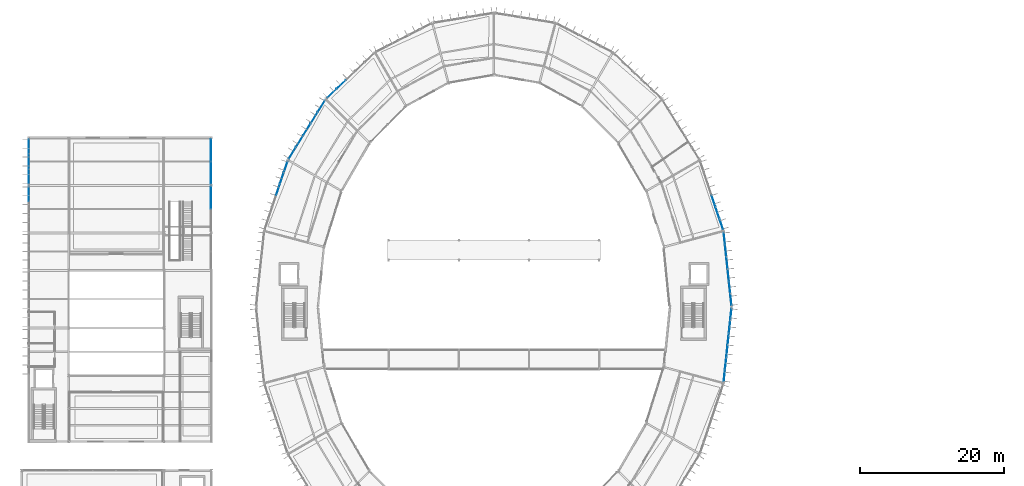
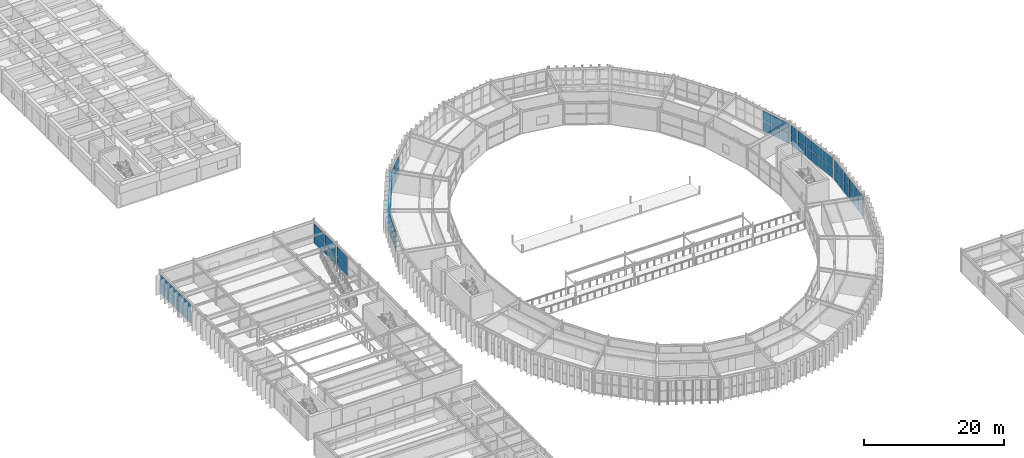
# One storey, part 103 of 147: 64 plates, 10 elements without a shape of their own.
"""IFC4 building model written with IfcOpenShell, lengths in metres."""

from ifc_helpers import new_model, si_unit, direction, frame, origin, origin_2d, place, context, subcontext, project, spatial, rectangle, extrude, material, layer, layer_set, type_object, element, aggregate, save


model = new_model("IFC4")

# Units and contexts
model_context = context("Model", 3, precision=1e-05, world=origin(), true_north=direction((0.0, 1.0)))
body_context = subcontext(model_context, "Body", "Model", "MODEL_VIEW")
ifc_project = project(units=[si_unit("LENGTHUNIT", "METRE"), si_unit("AREAUNIT", "SQUARE_METRE"), si_unit("VOLUMEUNIT", "CUBIC_METRE"), si_unit("PLANEANGLEUNIT", "RADIAN"), si_unit("MASSUNIT", "GRAM", prefix="KILO")], contexts=[model_context])

# Site, building, storey
site_placement = place(None, origin())
site = spatial("IfcSite", under=ifc_project, at=site_placement, CompositionType="ELEMENT")
building_placement = place(site_placement, origin())
building = spatial("IfcBuilding", under=site, at=building_placement, Name="Karori Crest Natural Sciences Institute", CompositionType="ELEMENT")
storey_placement = place(building_placement, frame((0.0, 0.0, 9.10009765625)))
storey = spatial("IfcBuildingStorey", under=building, at=storey_placement, Name="L02", CompositionType="ELEMENT", Elevation=9.10009765625)

# Curtain wall, plates
ifc_material_1 = material(Name="Anodised architectural aluminium 6063-T6", Category="aluminium")
curtain_wall_type_1 = type_object("IfcCurtainWallType", Name="CWT-01", PredefinedType="NOTDEFINED", material=ifc_material_1)
curtain_wall_1_placement = place(storey_placement, origin())
curtain_wall_1 = element("IfcCurtainWall", 1, at=curtain_wall_1_placement, inside=storey, type_object=curtain_wall_type_1, Name="Curtain wall CW-0065", PredefinedType="NOTDEFINED")
ifc_material_2 = material(Name="Double low-E laminated glass", Category="glass")
ifc_layer_1 = layer(ifc_material_2, 0.02392578125, Name="Double low-E laminated glass")
ifc_layer_set_1 = layer_set([ifc_layer_1], Name="Double low-E laminated glass")
plate_type_1 = type_object("IfcPlateType", Name="CWP-01", PredefinedType="CURTAIN_PANEL", material=ifc_layer_set_1)
plate_1_placement = place(storey_placement, frame((98.386962890625, 59.414306640625, 0.06494140625), z_axis=(0.0, 0.0, 1.0), x_axis=(0.105881615789, -0.994378742451, 0.0)))
plate_1 = element("IfcPlate", 2, at=plate_1_placement, type_object=plate_type_1, Name="CW-0065 panel 1.1", PredefinedType="CURTAIN_PANEL", context=body_context, shape_type="SweptSolid", body=[
    extrude(rectangle(XDim=1.60107421875, YDim=0.02392578125, at=origin_2d()), origin(), (0.0, 0.0, 1.0), 1.715087890625),
])
plate_2_placement = place(storey_placement, frame((98.386962890625, 59.414306640625, 1.8447265625), z_axis=(0.0, 0.0, 1.0), x_axis=(0.105881615789, -0.994378742451, 0.0)))
plate_2 = element("IfcPlate", 3, at=plate_2_placement, type_object=plate_type_1, Name="CW-0065 panel 1.2", PredefinedType="CURTAIN_PANEL", context=body_context, shape_type="SweptSolid", body=[
    extrude(rectangle(XDim=1.60107421875, YDim=0.02392578125, at=origin_2d()), origin(), (0.0, 0.0, 1.0), 1.715087890625),
])
plate_3_placement = place(storey_placement, frame((98.56640625, 57.72900390625, 0.06494140625), z_axis=(0.0, 0.0, 1.0), x_axis=(0.105881615789, -0.994378742451, 0.0)))
plate_3 = element("IfcPlate", 4, at=plate_3_placement, type_object=plate_type_1, Name="CW-0065 panel 2.1", PredefinedType="CURTAIN_PANEL", context=body_context, shape_type="SweptSolid", body=[
    extrude(rectangle(XDim=1.638427734375, YDim=0.02392578125, at=origin_2d()), origin(), (0.0, 0.0, 1.0), 1.715087890625),
])
plate_4_placement = place(storey_placement, frame((98.56640625, 57.72900390625, 1.8447265625), z_axis=(0.0, 0.0, 1.0), x_axis=(0.105881615789, -0.994378742451, 0.0)))
plate_4 = element("IfcPlate", 5, at=plate_4_placement, type_object=plate_type_1, Name="CW-0065 panel 2.2", PredefinedType="CURTAIN_PANEL", context=body_context, shape_type="SweptSolid", body=[
    extrude(rectangle(XDim=1.638427734375, YDim=0.02392578125, at=origin_2d()), origin(), (0.0, 0.0, 1.0), 1.715087890625),
])
plate_5_placement = place(storey_placement, frame((98.747802734375, 56.025146484375, 0.06494140625), z_axis=(0.0, 0.0, 1.0), x_axis=(0.105881615789, -0.994378742451, 0.0)))
plate_5 = element("IfcPlate", 6, at=plate_5_placement, type_object=plate_type_1, Name="CW-0065 panel 3.1", PredefinedType="CURTAIN_PANEL", context=body_context, shape_type="SweptSolid", body=[
    extrude(rectangle(XDim=1.638427734375, YDim=0.02392578125, at=origin_2d()), origin(), (0.0, 0.0, 1.0), 1.715087890625),
])
plate_6_placement = place(storey_placement, frame((98.747802734375, 56.025146484375, 1.8447265625), z_axis=(0.0, 0.0, 1.0), x_axis=(0.105881615789, -0.994378742451, 0.0)))
plate_6 = element("IfcPlate", 7, at=plate_6_placement, type_object=plate_type_1, Name="CW-0065 panel 3.2", PredefinedType="CURTAIN_PANEL", context=body_context, shape_type="SweptSolid", body=[
    extrude(rectangle(XDim=1.638427734375, YDim=0.02392578125, at=origin_2d()), origin(), (0.0, 0.0, 1.0), 1.715087890625),
])
plate_7_placement = place(storey_placement, frame((98.92919921875, 54.3212890625, 0.06494140625), z_axis=(0.0, 0.0, 1.0), x_axis=(0.105881615789, -0.994378742451, 0.0)))
plate_7 = element("IfcPlate", 8, at=plate_7_placement, type_object=plate_type_1, Name="CW-0065 panel 4.1", PredefinedType="CURTAIN_PANEL", context=body_context, shape_type="SweptSolid", body=[
    extrude(rectangle(XDim=1.638427734375, YDim=0.02392578125, at=origin_2d()), origin(), (0.0, 0.0, 1.0), 1.715087890625),
])
plate_8_placement = place(storey_placement, frame((98.92919921875, 54.3212890625, 1.8447265625), z_axis=(0.0, 0.0, 1.0), x_axis=(0.105881615789, -0.994378742451, 0.0)))
plate_8 = element("IfcPlate", 9, at=plate_8_placement, type_object=plate_type_1, Name="CW-0065 panel 4.2", PredefinedType="CURTAIN_PANEL", context=body_context, shape_type="SweptSolid", body=[
    extrude(rectangle(XDim=1.638427734375, YDim=0.02392578125, at=origin_2d()), origin(), (0.0, 0.0, 1.0), 1.715087890625),
])
plate_9_placement = place(storey_placement, frame((99.110595703125, 52.617431640625, 0.06494140625), z_axis=(0.0, 0.0, 1.0), x_axis=(0.105881615789, -0.994378742451, 0.0)))
plate_9 = element("IfcPlate", 10, at=plate_9_placement, type_object=plate_type_1, Name="CW-0065 panel 5.1", PredefinedType="CURTAIN_PANEL", context=body_context, shape_type="SweptSolid", body=[
    extrude(rectangle(XDim=1.638427734375, YDim=0.02392578125, at=origin_2d()), origin(), (0.0, 0.0, 1.0), 1.715087890625),
])
plate_10_placement = place(storey_placement, frame((99.110595703125, 52.617431640625, 1.8447265625), z_axis=(0.0, 0.0, 1.0), x_axis=(0.105881615789, -0.994378742451, 0.0)))
plate_10 = element("IfcPlate", 11, at=plate_10_placement, type_object=plate_type_1, Name="CW-0065 panel 5.2", PredefinedType="CURTAIN_PANEL", context=body_context, shape_type="SweptSolid", body=[
    extrude(rectangle(XDim=1.638427734375, YDim=0.02392578125, at=origin_2d()), origin(), (0.0, 0.0, 1.0), 1.715087890625),
])
plate_11_placement = place(storey_placement, frame((99.2900390625, 50.93212890625, 0.06494140625), z_axis=(0.0, 0.0, 1.0), x_axis=(0.105881615789, -0.994378742451, 0.0)))
plate_11 = element("IfcPlate", 12, at=plate_11_placement, type_object=plate_type_1, Name="CW-0065 panel 6.1", PredefinedType="CURTAIN_PANEL", context=body_context, shape_type="SweptSolid", body=[
    extrude(rectangle(XDim=1.60107421875, YDim=0.02392578125, at=origin_2d()), origin(), (0.0, 0.0, 1.0), 1.715087890625),
])
plate_12_placement = place(storey_placement, frame((99.2900390625, 50.93212890625, 1.8447265625), z_axis=(0.0, 0.0, 1.0), x_axis=(0.105881615789, -0.994378742451, 0.0)))
plate_12 = element("IfcPlate", 13, at=plate_12_placement, type_object=plate_type_1, Name="CW-0065 panel 6.2", PredefinedType="CURTAIN_PANEL", context=body_context, shape_type="SweptSolid", body=[
    extrude(rectangle(XDim=1.60107421875, YDim=0.02392578125, at=origin_2d()), origin(), (0.0, 0.0, 1.0), 1.715087890625),
])
aggregate(curtain_wall_1, [plate_1, plate_2, plate_3, plate_4, plate_5, plate_6, plate_7, plate_8, plate_9, plate_10, plate_11, plate_12])

curtain_wall_type_2 = type_object("IfcCurtainWallType", Name="CWT-10", PredefinedType="NOTDEFINED", material=ifc_material_1)
curtain_wall_2_placement = place(storey_placement, origin())
curtain_wall_2 = element("IfcCurtainWall", 14, at=curtain_wall_2_placement, inside=storey, type_object=curtain_wall_type_2, Name="Curtain wall CW-0079", PredefinedType="NOTDEFINED")
plate_13_placement = place(storey_placement, frame((38.428955078125, 71.279296875, 0.06005859375), z_axis=(0.0, 0.0, 1.0), x_axis=(0.527327518853, 0.849662102168, 0.0)))
plate_13 = element("IfcPlate", 15, at=plate_13_placement, type_object=plate_type_1, Name="CW-0079 panel 1.1", PredefinedType="CURTAIN_PANEL", context=body_context, shape_type="SweptSolid", body=[
    extrude(rectangle(XDim=1.80322265625, YDim=0.02392578125, at=origin_2d()), origin(), (0.0, 0.0, 1.0), 1.722412109375),
])
plate_14_placement = place(storey_placement, frame((38.428955078125, 71.279296875, 1.84228515625), z_axis=(0.0, 0.0, 1.0), x_axis=(0.527327518853, 0.849662102168, 0.0)))
plate_14 = element("IfcPlate", 16, at=plate_14_placement, type_object=plate_type_1, Name="CW-0079 panel 1.2", PredefinedType="CURTAIN_PANEL", context=body_context, shape_type="SweptSolid", body=[
    extrude(rectangle(XDim=1.80322265625, YDim=0.02392578125, at=origin_2d()), origin(), (0.0, 0.0, 1.0), 1.722412109375),
])
plate_15_placement = place(storey_placement, frame((39.42919921875, 72.89111328125, 0.06005859375), z_axis=(0.0, 0.0, 1.0), x_axis=(0.527327518853, 0.849662102168, 0.0)))
plate_15 = element("IfcPlate", 17, at=plate_15_placement, type_object=plate_type_1, Name="CW-0079 panel 2.1", PredefinedType="CURTAIN_PANEL", context=body_context, shape_type="SweptSolid", body=[
    extrude(rectangle(XDim=1.8408203125, YDim=0.02392578125, at=origin_2d()), origin(), (0.0, 0.0, 1.0), 1.722412109375),
])
plate_16_placement = place(storey_placement, frame((39.42919921875, 72.89111328125, 1.84228515625), z_axis=(0.0, 0.0, 1.0), x_axis=(0.527327518853, 0.849662102168, 0.0)))
plate_16 = element("IfcPlate", 18, at=plate_16_placement, type_object=plate_type_1, Name="CW-0079 panel 2.2", PredefinedType="CURTAIN_PANEL", context=body_context, shape_type="SweptSolid", body=[
    extrude(rectangle(XDim=1.8408203125, YDim=0.02392578125, at=origin_2d()), origin(), (0.0, 0.0, 1.0), 1.722412109375),
])
plate_17_placement = place(storey_placement, frame((40.439453125, 74.518798828125, 0.06005859375), z_axis=(0.0, 0.0, 1.0), x_axis=(0.527327518853, 0.849662102168, 0.0)))
plate_17 = element("IfcPlate", 19, at=plate_17_placement, type_object=plate_type_1, Name="CW-0079 panel 3.1", PredefinedType="CURTAIN_PANEL", context=body_context, shape_type="SweptSolid", body=[
    extrude(rectangle(XDim=1.8408203125, YDim=0.02392578125, at=origin_2d()), origin(), (0.0, 0.0, 1.0), 1.722412109375),
])
plate_18_placement = place(storey_placement, frame((40.439453125, 74.518798828125, 1.84228515625), z_axis=(0.0, 0.0, 1.0), x_axis=(0.527327518853, 0.849662102168, 0.0)))
plate_18 = element("IfcPlate", 20, at=plate_18_placement, type_object=plate_type_1, Name="CW-0079 panel 3.2", PredefinedType="CURTAIN_PANEL", context=body_context, shape_type="SweptSolid", body=[
    extrude(rectangle(XDim=1.8408203125, YDim=0.02392578125, at=origin_2d()), origin(), (0.0, 0.0, 1.0), 1.722412109375),
])
plate_19_placement = place(storey_placement, frame((41.44970703125, 76.146484375, 0.06005859375), z_axis=(0.0, 0.0, 1.0), x_axis=(0.527327518853, 0.849662102168, 0.0)))
plate_19 = element("IfcPlate", 21, at=plate_19_placement, type_object=plate_type_1, Name="CW-0079 panel 4.1", PredefinedType="CURTAIN_PANEL", context=body_context, shape_type="SweptSolid", body=[
    extrude(rectangle(XDim=1.8408203125, YDim=0.02392578125, at=origin_2d()), origin(), (0.0, 0.0, 1.0), 1.722412109375),
])
plate_20_placement = place(storey_placement, frame((41.44970703125, 76.146484375, 1.84228515625), z_axis=(0.0, 0.0, 1.0), x_axis=(0.527327518853, 0.849662102168, 0.0)))
plate_20 = element("IfcPlate", 22, at=plate_20_placement, type_object=plate_type_1, Name="CW-0079 panel 4.2", PredefinedType="CURTAIN_PANEL", context=body_context, shape_type="SweptSolid", body=[
    extrude(rectangle(XDim=1.8408203125, YDim=0.02392578125, at=origin_2d()), origin(), (0.0, 0.0, 1.0), 1.722412109375),
])
plate_21_placement = place(storey_placement, frame((42.4501953125, 77.75830078125, 0.06005859375), z_axis=(0.0, 0.0, 1.0), x_axis=(0.527327518853, 0.849662102168, 0.0)))
plate_21 = element("IfcPlate", 23, at=plate_21_placement, type_object=plate_type_1, Name="CW-0079 panel 5.1", PredefinedType="CURTAIN_PANEL", context=body_context, shape_type="SweptSolid", body=[
    extrude(rectangle(XDim=1.80322265625, YDim=0.02392578125, at=origin_2d()), origin(), (0.0, 0.0, 1.0), 1.722412109375),
])
plate_22_placement = place(storey_placement, frame((42.4501953125, 77.75830078125, 1.84228515625), z_axis=(0.0, 0.0, 1.0), x_axis=(0.527327518853, 0.849662102168, 0.0)))
plate_22 = element("IfcPlate", 24, at=plate_22_placement, type_object=plate_type_1, Name="CW-0079 panel 5.2", PredefinedType="CURTAIN_PANEL", context=body_context, shape_type="SweptSolid", body=[
    extrude(rectangle(XDim=1.80322265625, YDim=0.02392578125, at=origin_2d()), origin(), (0.0, 0.0, 1.0), 1.722412109375),
])
aggregate(curtain_wall_2, [plate_13, plate_14, plate_15, plate_16, plate_17, plate_18, plate_19, plate_20, plate_21, plate_22])

curtain_wall_type_3 = type_object("IfcCurtainWallType", Name="CWT-17", PredefinedType="NOTDEFINED", material=ifc_material_1)
curtain_wall_3_placement = place(storey_placement, origin())
curtain_wall_3 = element("IfcCurtainWall", 25, at=curtain_wall_3_placement, inside=storey, type_object=curtain_wall_type_3, Name="Curtain wall CW-0273", PredefinedType="NOTDEFINED")
plate_23_placement = place(storey_placement, frame((1.860107421875, 65.601806640625, 0.06005859375), z_axis=(0.0, 0.0, 1.0), x_axis=(0.0, 1.0, 0.0)))
plate_23 = element("IfcPlate", 26, at=plate_23_placement, type_object=plate_type_1, Name="CW-0273 panel 3.1", PredefinedType="CURTAIN_PANEL", context=body_context, shape_type="SweptSolid", body=[
    extrude(rectangle(XDim=2.0205078125, YDim=0.02392578125, at=origin_2d()), origin(), (0.0, 0.0, 1.0), 1.632568359375),
])
plate_24_placement = place(storey_placement, frame((1.860107421875, 65.601806640625, 1.75244140625), z_axis=(0.0, 0.0, 1.0), x_axis=(0.0, 1.0, 0.0)))
plate_24 = element("IfcPlate", 27, at=plate_24_placement, type_object=plate_type_1, Name="CW-0273 panel 3.2", PredefinedType="CURTAIN_PANEL", context=body_context, shape_type="SweptSolid", body=[
    extrude(rectangle(XDim=2.0205078125, YDim=0.02392578125, at=origin_2d()), origin(), (0.0, 0.0, 1.0), 1.632568359375),
])
aggregate(curtain_wall_3, [plate_23, plate_24])

curtain_wall_4_placement = place(storey_placement, origin())
curtain_wall_4 = element("IfcCurtainWall", 28, at=curtain_wall_4_placement, inside=storey, type_object=curtain_wall_type_3, Name="Curtain wall CW-0274", PredefinedType="NOTDEFINED")
plate_25_placement = place(storey_placement, frame((1.860107421875, 67.998291015625, 0.06005859375), z_axis=(0.0, 0.0, 1.0), x_axis=(0.0, 1.0, 0.0)))
plate_25 = element("IfcPlate", 29, at=plate_25_placement, type_object=plate_type_1, Name="CW-0274 panel 1.1", PredefinedType="CURTAIN_PANEL", context=body_context, shape_type="SweptSolid", body=[
    extrude(rectangle(XDim=2.0205078125, YDim=0.02392578125, at=origin_2d()), origin(), (0.0, 0.0, 1.0), 1.632568359375),
])
plate_26_placement = place(storey_placement, frame((1.860107421875, 67.998291015625, 1.75244140625), z_axis=(0.0, 0.0, 1.0), x_axis=(0.0, 1.0, 0.0)))
plate_26 = element("IfcPlate", 30, at=plate_26_placement, type_object=plate_type_1, Name="CW-0274 panel 1.2", PredefinedType="CURTAIN_PANEL", context=body_context, shape_type="SweptSolid", body=[
    extrude(rectangle(XDim=2.0205078125, YDim=0.02392578125, at=origin_2d()), origin(), (0.0, 0.0, 1.0), 1.632568359375),
])
plate_27_placement = place(storey_placement, frame((1.860107421875, 70.10009765625, 0.06005859375), z_axis=(0.0, 0.0, 1.0), x_axis=(0.0, 1.0, 0.0)))
plate_27 = element("IfcPlate", 31, at=plate_27_placement, type_object=plate_type_1, Name="CW-0274 panel 2.1", PredefinedType="CURTAIN_PANEL", context=body_context, shape_type="SweptSolid", body=[
    extrude(rectangle(XDim=2.052978515625, YDim=0.02392578125, at=origin_2d()), origin(), (0.0, 0.0, 1.0), 1.632568359375),
])
plate_28_placement = place(storey_placement, frame((1.860107421875, 70.10009765625, 1.75244140625), z_axis=(0.0, 0.0, 1.0), x_axis=(0.0, 1.0, 0.0)))
plate_28 = element("IfcPlate", 32, at=plate_28_placement, type_object=plate_type_1, Name="CW-0274 panel 2.2", PredefinedType="CURTAIN_PANEL", context=body_context, shape_type="SweptSolid", body=[
    extrude(rectangle(XDim=2.052978515625, YDim=0.02392578125, at=origin_2d()), origin(), (0.0, 0.0, 1.0), 1.632568359375),
])
plate_29_placement = place(storey_placement, frame((1.860107421875, 72.20166015625, 0.06005859375), z_axis=(0.0, 0.0, 1.0), x_axis=(0.0, 1.0, 0.0)))
plate_29 = element("IfcPlate", 33, at=plate_29_placement, type_object=plate_type_1, Name="CW-0274 panel 3.1", PredefinedType="CURTAIN_PANEL", context=body_context, shape_type="SweptSolid", body=[
    extrude(rectangle(XDim=2.0205078125, YDim=0.02392578125, at=origin_2d()), origin(), (0.0, 0.0, 1.0), 1.632568359375),
])
plate_30_placement = place(storey_placement, frame((1.860107421875, 72.20166015625, 1.75244140625), z_axis=(0.0, 0.0, 1.0), x_axis=(0.0, 1.0, 0.0)))
plate_30 = element("IfcPlate", 34, at=plate_30_placement, type_object=plate_type_1, Name="CW-0274 panel 3.2", PredefinedType="CURTAIN_PANEL", context=body_context, shape_type="SweptSolid", body=[
    extrude(rectangle(XDim=2.0205078125, YDim=0.02392578125, at=origin_2d()), origin(), (0.0, 0.0, 1.0), 1.632568359375),
])
aggregate(curtain_wall_4, [plate_25, plate_26, plate_27, plate_28, plate_29, plate_30])

curtain_wall_type_4 = type_object("IfcCurtainWallType", Name="CWT-18", PredefinedType="NOTDEFINED", material=ifc_material_1)
curtain_wall_5_placement = place(storey_placement, origin())
curtain_wall_5 = element("IfcCurtainWall", 35, at=curtain_wall_5_placement, inside=storey, type_object=curtain_wall_type_4, Name="Curtain wall CW-0276", PredefinedType="NOTDEFINED")
plate_31_placement = place(storey_placement, frame((27.139892578125, 65.072265625, 0.06005859375), z_axis=(0.0, 0.0, 1.0), x_axis=(0.0, -1.0, 0.0)))
plate_31 = element("IfcPlate", 36, at=plate_31_placement, type_object=plate_type_1, Name="CW-0276 panel 1.1", PredefinedType="CURTAIN_PANEL", context=body_context, shape_type="SweptSolid", body=[
    extrude(rectangle(XDim=3.07958984375, YDim=0.02392578125, at=origin_2d()), origin(), (0.0, 0.0, 1.0), 1.632568359375),
])
plate_32_placement = place(storey_placement, frame((27.139892578125, 65.072265625, 1.75244140625), z_axis=(0.0, 0.0, 1.0), x_axis=(0.0, -1.0, 0.0)))
plate_32 = element("IfcPlate", 37, at=plate_32_placement, type_object=plate_type_1, Name="CW-0276 panel 1.2", PredefinedType="CURTAIN_PANEL", context=body_context, shape_type="SweptSolid", body=[
    extrude(rectangle(XDim=3.07958984375, YDim=0.02392578125, at=origin_2d()), origin(), (0.0, 0.0, 1.0), 1.632568359375),
])
aggregate(curtain_wall_5, [plate_31, plate_32])

curtain_wall_6_placement = place(storey_placement, origin())
curtain_wall_6 = element("IfcCurtainWall", 38, at=curtain_wall_6_placement, inside=storey, type_object=curtain_wall_type_4, Name="Curtain wall CW-0277", PredefinedType="NOTDEFINED")
plate_33_placement = place(storey_placement, frame((27.139892578125, 71.67236328125, 0.06005859375), z_axis=(0.0, 0.0, 1.0), x_axis=(0.0, -1.0, 0.0)))
plate_33 = element("IfcPlate", 39, at=plate_33_placement, type_object=plate_type_1, Name="CW-0277 panel 1.1", PredefinedType="CURTAIN_PANEL", context=body_context, shape_type="SweptSolid", body=[
    extrude(rectangle(XDim=3.07958984375, YDim=0.02392578125, at=origin_2d()), origin(), (0.0, 0.0, 1.0), 1.632568359375),
])
plate_34_placement = place(storey_placement, frame((27.139892578125, 71.67236328125, 1.75244140625), z_axis=(0.0, 0.0, 1.0), x_axis=(0.0, -1.0, 0.0)))
plate_34 = element("IfcPlate", 40, at=plate_34_placement, type_object=plate_type_1, Name="CW-0277 panel 1.2", PredefinedType="CURTAIN_PANEL", context=body_context, shape_type="SweptSolid", body=[
    extrude(rectangle(XDim=3.07958984375, YDim=0.02392578125, at=origin_2d()), origin(), (0.0, 0.0, 1.0), 1.632568359375),
])
plate_35_placement = place(storey_placement, frame((27.139892578125, 68.52783203125, 0.06005859375), z_axis=(0.0, 0.0, 1.0), x_axis=(0.0, -1.0, 0.0)))
plate_35 = element("IfcPlate", 41, at=plate_35_placement, type_object=plate_type_1, Name="CW-0277 panel 2.1", PredefinedType="CURTAIN_PANEL", context=body_context, shape_type="SweptSolid", body=[
    extrude(rectangle(XDim=3.07958984375, YDim=0.02392578125, at=origin_2d()), origin(), (0.0, 0.0, 1.0), 1.632568359375),
])
plate_36_placement = place(storey_placement, frame((27.139892578125, 68.52783203125, 1.75244140625), z_axis=(0.0, 0.0, 1.0), x_axis=(0.0, -1.0, 0.0)))
plate_36 = element("IfcPlate", 42, at=plate_36_placement, type_object=plate_type_1, Name="CW-0277 panel 2.2", PredefinedType="CURTAIN_PANEL", context=body_context, shape_type="SweptSolid", body=[
    extrude(rectangle(XDim=3.07958984375, YDim=0.02392578125, at=origin_2d()), origin(), (0.0, 0.0, 1.0), 1.632568359375),
])
aggregate(curtain_wall_6, [plate_33, plate_34, plate_35, plate_36])

curtain_wall_type_5 = type_object("IfcCurtainWallType", Name="CWT-02", PredefinedType="NOTDEFINED", material=ifc_material_1)
curtain_wall_7_placement = place(storey_placement, origin())
curtain_wall_7 = element("IfcCurtainWall", 43, at=curtain_wall_7_placement, inside=storey, type_object=curtain_wall_type_5, Name="Curtain wall CW-0067", PredefinedType="NOTDEFINED")
ifc_layer_2 = layer(ifc_material_2, 0.033935546875, Name="Double low-E laminated glass")
ifc_layer_set_2 = layer_set([ifc_layer_2], Name="Double low-E laminated glass")
plate_type_2 = type_object("IfcPlateType", Name="CWP-02", PredefinedType="CURTAIN_PANEL", material=ifc_layer_set_2)
plate_37_placement = place(storey_placement, frame((96.890625, 64.593994140625, 0.06005859375), z_axis=(0.0, 0.0, 1.0), x_axis=(0.317685267462, -0.948196219586, 0.0)))
plate_37 = element("IfcPlate", 44, at=plate_37_placement, type_object=plate_type_2, Name="CW-0067 panel 4.1", PredefinedType="CURTAIN_PANEL", context=body_context, shape_type="SweptSolid", body=[
    extrude(rectangle(XDim=1.5986328125, YDim=0.033935546875, at=origin_2d()), origin(), (0.0, 0.0, 1.0), 1.722412109375),
])
plate_38_placement = place(storey_placement, frame((96.890625, 64.593994140625, 1.84228515625), z_axis=(0.0, 0.0, 1.0), x_axis=(0.317685267462, -0.948196219586, 0.0)))
plate_38 = element("IfcPlate", 45, at=plate_38_placement, type_object=plate_type_2, Name="CW-0067 panel 4.2", PredefinedType="CURTAIN_PANEL", context=body_context, shape_type="SweptSolid", body=[
    extrude(rectangle(XDim=1.5986328125, YDim=0.033935546875, at=origin_2d()), origin(), (0.0, 0.0, 1.0), 1.722412109375),
])
plate_39_placement = place(storey_placement, frame((97.42236328125, 63.0068359375, 0.06005859375), z_axis=(0.0, 0.0, 1.0), x_axis=(0.317685267462, -0.948196219586, 0.0)))
plate_39 = element("IfcPlate", 46, at=plate_39_placement, type_object=plate_type_2, Name="CW-0067 panel 5.1", PredefinedType="CURTAIN_PANEL", context=body_context, shape_type="SweptSolid", body=[
    extrude(rectangle(XDim=1.5986328125, YDim=0.033935546875, at=origin_2d()), origin(), (0.0, 0.0, 1.0), 1.722412109375),
])
plate_40_placement = place(storey_placement, frame((97.42236328125, 63.0068359375, 1.84228515625), z_axis=(0.0, 0.0, 1.0), x_axis=(0.317685267462, -0.948196219586, 0.0)))
plate_40 = element("IfcPlate", 47, at=plate_40_placement, type_object=plate_type_2, Name="CW-0067 panel 5.2", PredefinedType="CURTAIN_PANEL", context=body_context, shape_type="SweptSolid", body=[
    extrude(rectangle(XDim=1.5986328125, YDim=0.033935546875, at=origin_2d()), origin(), (0.0, 0.0, 1.0), 1.722412109375),
])
plate_41_placement = place(storey_placement, frame((97.947998046875, 61.437744140625, 0.06005859375), z_axis=(0.0, 0.0, 1.0), x_axis=(0.317685267462, -0.948196219586, 0.0)))
plate_41 = element("IfcPlate", 48, at=plate_41_placement, type_object=plate_type_2, Name="CW-0067 panel 6.1", PredefinedType="CURTAIN_PANEL", context=body_context, shape_type="SweptSolid", body=[
    extrude(rectangle(XDim=1.561279296875, YDim=0.033935546875, at=origin_2d()), origin(), (0.0, 0.0, 1.0), 1.722412109375),
])
plate_42_placement = place(storey_placement, frame((97.947998046875, 61.437744140625, 1.84228515625), z_axis=(0.0, 0.0, 1.0), x_axis=(0.317685267462, -0.948196219586, 0.0)))
plate_42 = element("IfcPlate", 49, at=plate_42_placement, type_object=plate_type_2, Name="CW-0067 panel 6.2", PredefinedType="CURTAIN_PANEL", context=body_context, shape_type="SweptSolid", body=[
    extrude(rectangle(XDim=1.561279296875, YDim=0.033935546875, at=origin_2d()), origin(), (0.0, 0.0, 1.0), 1.722412109375),
])
aggregate(curtain_wall_7, [plate_37, plate_38, plate_39, plate_40, plate_41, plate_42])

curtain_wall_8_placement = place(storey_placement, origin())
curtain_wall_8 = element("IfcCurtainWall", 50, at=curtain_wall_8_placement, inside=storey, type_object=curtain_wall_type_1, Name="Curtain wall CW-0080", PredefinedType="NOTDEFINED")
plate_43_placement = place(storey_placement, frame((36.43603515625, 66.165771484375, 0.06494140625), z_axis=(0.0, 0.0, 1.0), x_axis=(0.317685267462, 0.948196219586, 0.0)))
plate_43 = element("IfcPlate", 51, at=plate_43_placement, type_object=plate_type_2, Name="CW-0080 panel 4.1", PredefinedType="CURTAIN_PANEL", context=body_context, shape_type="SweptSolid", body=[
    extrude(rectangle(XDim=1.5986328125, YDim=0.033935546875, at=origin_2d()), origin(), (0.0, 0.0, 1.0), 1.715087890625),
])
plate_44_placement = place(storey_placement, frame((36.43603515625, 66.165771484375, 1.8447265625), z_axis=(0.0, 0.0, 1.0), x_axis=(0.317685267462, 0.948196219586, 0.0)))
plate_44 = element("IfcPlate", 52, at=plate_44_placement, type_object=plate_type_2, Name="CW-0080 panel 4.2", PredefinedType="CURTAIN_PANEL", context=body_context, shape_type="SweptSolid", body=[
    extrude(rectangle(XDim=1.5986328125, YDim=0.033935546875, at=origin_2d()), origin(), (0.0, 0.0, 1.0), 1.715087890625),
])
plate_45_placement = place(storey_placement, frame((36.9677734375, 67.7529296875, 0.06494140625), z_axis=(0.0, 0.0, 1.0), x_axis=(0.317685267462, 0.948196219586, 0.0)))
plate_45 = element("IfcPlate", 53, at=plate_45_placement, type_object=plate_type_2, Name="CW-0080 panel 5.1", PredefinedType="CURTAIN_PANEL", context=body_context, shape_type="SweptSolid", body=[
    extrude(rectangle(XDim=1.5986328125, YDim=0.033935546875, at=origin_2d()), origin(), (0.0, 0.0, 1.0), 1.715087890625),
])
plate_46_placement = place(storey_placement, frame((36.9677734375, 67.7529296875, 1.8447265625), z_axis=(0.0, 0.0, 1.0), x_axis=(0.317685267462, 0.948196219586, 0.0)))
plate_46 = element("IfcPlate", 54, at=plate_46_placement, type_object=plate_type_2, Name="CW-0080 panel 5.2", PredefinedType="CURTAIN_PANEL", context=body_context, shape_type="SweptSolid", body=[
    extrude(rectangle(XDim=1.5986328125, YDim=0.033935546875, at=origin_2d()), origin(), (0.0, 0.0, 1.0), 1.715087890625),
])
plate_47_placement = place(storey_placement, frame((37.49365234375, 69.322021484375, 0.06494140625), z_axis=(0.0, 0.0, 1.0), x_axis=(0.317685267462, 0.948196219586, 0.0)))
plate_47 = element("IfcPlate", 55, at=plate_47_placement, type_object=plate_type_2, Name="CW-0080 panel 6.1", PredefinedType="CURTAIN_PANEL", context=body_context, shape_type="SweptSolid", body=[
    extrude(rectangle(XDim=1.561279296875, YDim=0.033935546875, at=origin_2d()), origin(), (0.0, 0.0, 1.0), 1.715087890625),
])
plate_48_placement = place(storey_placement, frame((37.49365234375, 69.322021484375, 1.8447265625), z_axis=(0.0, 0.0, 1.0), x_axis=(0.317685267462, 0.948196219586, 0.0)))
plate_48 = element("IfcPlate", 56, at=plate_48_placement, type_object=plate_type_2, Name="CW-0080 panel 6.2", PredefinedType="CURTAIN_PANEL", context=body_context, shape_type="SweptSolid", body=[
    extrude(rectangle(XDim=1.561279296875, YDim=0.033935546875, at=origin_2d()), origin(), (0.0, 0.0, 1.0), 1.715087890625),
])
aggregate(curtain_wall_8, [plate_43, plate_44, plate_45, plate_46, plate_47, plate_48])

curtain_wall_type_6 = type_object("IfcCurtainWallType", Name="CWT-09", PredefinedType="NOTDEFINED", material=ifc_material_1)
curtain_wall_9_placement = place(storey_placement, origin())
curtain_wall_9 = element("IfcCurtainWall", 57, at=curtain_wall_9_placement, inside=storey, type_object=curtain_wall_type_6, Name="Curtain wall CW-0077", PredefinedType="NOTDEFINED")
ifc_layer_3 = layer(ifc_material_2, 0.0439453125, Name="Double low-E laminated glass")
ifc_layer_set_3 = layer_set([ifc_layer_3], Name="Double low-E laminated glass")
plate_type_3 = type_object("IfcPlateType", Name="CWP-03", PredefinedType="CURTAIN_PANEL", material=ifc_layer_set_3)
plate_49_placement = place(storey_placement, frame((43.8896484375, 79.53173828125, 0.06494140625), z_axis=(0.0, 0.0, 1.0), x_axis=(0.725472753897, 0.688250886925, 0.0)))
plate_49 = element("IfcPlate", 58, at=plate_49_placement, type_object=plate_type_3, Name="CW-0077 panel 1.1", PredefinedType="CURTAIN_PANEL", context=body_context, shape_type="SweptSolid", body=[
    extrude(rectangle(XDim=1.697265625, YDim=0.0439453125, at=origin_2d()), origin(), (0.0, 0.0, 1.0), 1.715087890625),
])
plate_50_placement = place(storey_placement, frame((43.8896484375, 79.53173828125, 1.8447265625), z_axis=(0.0, 0.0, 1.0), x_axis=(0.725472753897, 0.688250886925, 0.0)))
plate_50 = element("IfcPlate", 59, at=plate_50_placement, type_object=plate_type_3, Name="CW-0077 panel 1.2", PredefinedType="CURTAIN_PANEL", context=body_context, shape_type="SweptSolid", body=[
    extrude(rectangle(XDim=1.697265625, YDim=0.0439453125, at=origin_2d()), origin(), (0.0, 0.0, 1.0), 1.715087890625),
])
plate_51_placement = place(storey_placement, frame((45.188720703125, 80.764404296875, 0.06494140625), z_axis=(0.0, 0.0, 1.0), x_axis=(0.725472753897, 0.688250886925, 0.0)))
plate_51 = element("IfcPlate", 60, at=plate_51_placement, type_object=plate_type_3, Name="CW-0077 panel 2.1", PredefinedType="CURTAIN_PANEL", context=body_context, shape_type="SweptSolid", body=[
    extrude(rectangle(XDim=1.734619140625, YDim=0.0439453125, at=origin_2d()), origin(), (0.0, 0.0, 1.0), 1.715087890625),
])
plate_52_placement = place(storey_placement, frame((45.188720703125, 80.764404296875, 1.8447265625), z_axis=(0.0, 0.0, 1.0), x_axis=(0.725472753897, 0.688250886925, 0.0)))
plate_52 = element("IfcPlate", 61, at=plate_52_placement, type_object=plate_type_3, Name="CW-0077 panel 2.2", PredefinedType="CURTAIN_PANEL", context=body_context, shape_type="SweptSolid", body=[
    extrude(rectangle(XDim=1.734619140625, YDim=0.0439453125, at=origin_2d()), origin(), (0.0, 0.0, 1.0), 1.715087890625),
])
aggregate(curtain_wall_9, [plate_49, plate_50, plate_51, plate_52])

curtain_wall_type_7 = type_object("IfcCurtainWallType", Name="CWT-04", PredefinedType="NOTDEFINED", material=ifc_material_1)
curtain_wall_10_placement = place(storey_placement, origin())
curtain_wall_10 = element("IfcCurtainWall", 62, at=curtain_wall_10_placement, inside=storey, type_object=curtain_wall_type_7, Name="Curtain wall CW-0099", PredefinedType="NOTDEFINED")
plate_53_placement = place(storey_placement, frame((99.2900390625, 48.86669921875, 0.06005859375), z_axis=(0.0, 0.0, 1.0), x_axis=(-0.105884329618, -0.994378453478, 0.0)))
plate_53 = element("IfcPlate", 63, at=plate_53_placement, type_object=plate_type_3, Name="CW-0099 panel 1.1", PredefinedType="CURTAIN_PANEL", context=body_context, shape_type="SweptSolid", body=[
    extrude(rectangle(XDim=1.603759765625, YDim=0.0439453125, at=origin_2d()), origin(), (0.0, 0.0, 1.0), 1.722412109375),
])
plate_54_placement = place(storey_placement, frame((99.2900390625, 48.86669921875, 1.84228515625), z_axis=(0.0, 0.0, 1.0), x_axis=(-0.105884329618, -0.994378453478, 0.0)))
plate_54 = element("IfcPlate", 64, at=plate_54_placement, type_object=plate_type_3, Name="CW-0099 panel 1.2", PredefinedType="CURTAIN_PANEL", context=body_context, shape_type="SweptSolid", body=[
    extrude(rectangle(XDim=1.603759765625, YDim=0.0439453125, at=origin_2d()), origin(), (0.0, 0.0, 1.0), 1.722412109375),
])
plate_55_placement = place(storey_placement, frame((99.110107421875, 47.1787109375, 0.06005859375), z_axis=(0.0, 0.0, 1.0), x_axis=(-0.105884329618, -0.994378453478, 0.0)))
plate_55 = element("IfcPlate", 65, at=plate_55_placement, type_object=plate_type_3, Name="CW-0099 panel 2.1", PredefinedType="CURTAIN_PANEL", context=body_context, shape_type="SweptSolid", body=[
    extrude(rectangle(XDim=1.64111328125, YDim=0.0439453125, at=origin_2d()), origin(), (0.0, 0.0, 1.0), 1.722412109375),
])
plate_56_placement = place(storey_placement, frame((99.110107421875, 47.1787109375, 1.84228515625), z_axis=(0.0, 0.0, 1.0), x_axis=(-0.105884329618, -0.994378453478, 0.0)))
plate_56 = element("IfcPlate", 66, at=plate_56_placement, type_object=plate_type_3, Name="CW-0099 panel 2.2", PredefinedType="CURTAIN_PANEL", context=body_context, shape_type="SweptSolid", body=[
    extrude(rectangle(XDim=1.64111328125, YDim=0.0439453125, at=origin_2d()), origin(), (0.0, 0.0, 1.0), 1.722412109375),
])
plate_57_placement = place(storey_placement, frame((98.928466796875, 45.47216796875, 0.06005859375), z_axis=(0.0, 0.0, 1.0), x_axis=(-0.105884329618, -0.994378453478, 0.0)))
plate_57 = element("IfcPlate", 67, at=plate_57_placement, type_object=plate_type_3, Name="CW-0099 panel 3.1", PredefinedType="CURTAIN_PANEL", context=body_context, shape_type="SweptSolid", body=[
    extrude(rectangle(XDim=1.64111328125, YDim=0.0439453125, at=origin_2d()), origin(), (0.0, 0.0, 1.0), 1.722412109375),
])
plate_58_placement = place(storey_placement, frame((98.928466796875, 45.47216796875, 1.84228515625), z_axis=(0.0, 0.0, 1.0), x_axis=(-0.105884329618, -0.994378453478, 0.0)))
plate_58 = element("IfcPlate", 68, at=plate_58_placement, type_object=plate_type_3, Name="CW-0099 panel 3.2", PredefinedType="CURTAIN_PANEL", context=body_context, shape_type="SweptSolid", body=[
    extrude(rectangle(XDim=1.64111328125, YDim=0.0439453125, at=origin_2d()), origin(), (0.0, 0.0, 1.0), 1.722412109375),
])
plate_59_placement = place(storey_placement, frame((98.746826171875, 43.765625, 0.06005859375), z_axis=(0.0, 0.0, 1.0), x_axis=(-0.105884329618, -0.994378453478, 0.0)))
plate_59 = element("IfcPlate", 69, at=plate_59_placement, type_object=plate_type_3, Name="CW-0099 panel 4.1", PredefinedType="CURTAIN_PANEL", context=body_context, shape_type="SweptSolid", body=[
    extrude(rectangle(XDim=1.64111328125, YDim=0.0439453125, at=origin_2d()), origin(), (0.0, 0.0, 1.0), 1.722412109375),
])
plate_60_placement = place(storey_placement, frame((98.746826171875, 43.765625, 1.84228515625), z_axis=(0.0, 0.0, 1.0), x_axis=(-0.105884329618, -0.994378453478, 0.0)))
plate_60 = element("IfcPlate", 70, at=plate_60_placement, type_object=plate_type_3, Name="CW-0099 panel 4.2", PredefinedType="CURTAIN_PANEL", context=body_context, shape_type="SweptSolid", body=[
    extrude(rectangle(XDim=1.64111328125, YDim=0.0439453125, at=origin_2d()), origin(), (0.0, 0.0, 1.0), 1.722412109375),
])
plate_61_placement = place(storey_placement, frame((98.565185546875, 42.05908203125, 0.06005859375), z_axis=(0.0, 0.0, 1.0), x_axis=(-0.105884329618, -0.994378453478, 0.0)))
plate_61 = element("IfcPlate", 71, at=plate_61_placement, type_object=plate_type_3, Name="CW-0099 panel 5.1", PredefinedType="CURTAIN_PANEL", context=body_context, shape_type="SweptSolid", body=[
    extrude(rectangle(XDim=1.64111328125, YDim=0.0439453125, at=origin_2d()), origin(), (0.0, 0.0, 1.0), 1.722412109375),
])
plate_62_placement = place(storey_placement, frame((98.565185546875, 42.05908203125, 1.84228515625), z_axis=(0.0, 0.0, 1.0), x_axis=(-0.105884329618, -0.994378453478, 0.0)))
plate_62 = element("IfcPlate", 72, at=plate_62_placement, type_object=plate_type_3, Name="CW-0099 panel 5.2", PredefinedType="CURTAIN_PANEL", context=body_context, shape_type="SweptSolid", body=[
    extrude(rectangle(XDim=1.64111328125, YDim=0.0439453125, at=origin_2d()), origin(), (0.0, 0.0, 1.0), 1.722412109375),
])
plate_63_placement = place(storey_placement, frame((98.38525390625, 40.37109375, 0.06005859375), z_axis=(0.0, 0.0, 1.0), x_axis=(-0.105884329618, -0.994378453478, 0.0)))
plate_63 = element("IfcPlate", 73, at=plate_63_placement, type_object=plate_type_3, Name="CW-0099 panel 6.1", PredefinedType="CURTAIN_PANEL", context=body_context, shape_type="SweptSolid", body=[
    extrude(rectangle(XDim=1.603759765625, YDim=0.0439453125, at=origin_2d()), origin(), (0.0, 0.0, 1.0), 1.722412109375),
])
plate_64_placement = place(storey_placement, frame((98.38525390625, 40.37109375, 1.84228515625), z_axis=(0.0, 0.0, 1.0), x_axis=(-0.105884329618, -0.994378453478, 0.0)))
plate_64 = element("IfcPlate", 74, at=plate_64_placement, type_object=plate_type_3, Name="CW-0099 panel 6.2", PredefinedType="CURTAIN_PANEL", context=body_context, shape_type="SweptSolid", body=[
    extrude(rectangle(XDim=1.603759765625, YDim=0.0439453125, at=origin_2d()), origin(), (0.0, 0.0, 1.0), 1.722412109375),
])
aggregate(curtain_wall_10, [plate_53, plate_54, plate_55, plate_56, plate_57, plate_58, plate_59, plate_60, plate_61, plate_62, plate_63, plate_64])

save(model, "model.ifc")
